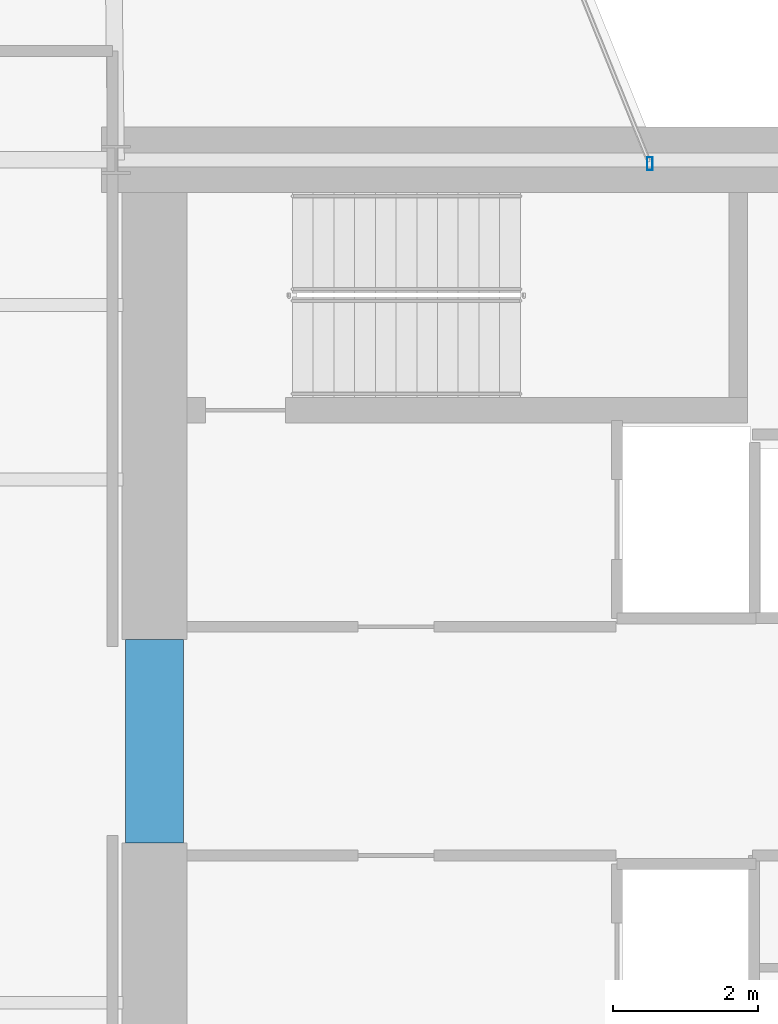
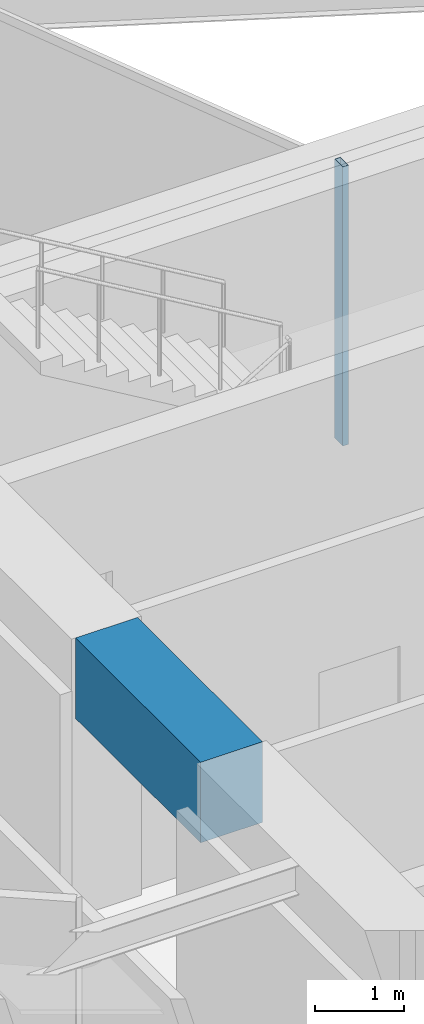
# One storey, part 17 of 31: 1 beam, 1 member, 1 element without a shape of its own.
"""IFC4 building model written with IfcOpenShell, lengths in metres."""

from ifc_helpers import new_model, si_unit, direction, frame, origin, origin_2d, place, context, subcontext, project, spatial, rectangle, hollow_rectangle, extrude, material, layer, layer_set, material_profile, profile_set, type_object, element, aggregate, save


model = new_model("IFC4")

# Units and contexts
model_context = context("Model", 3, precision=1e-05, world=origin(), true_north=direction((0.0, 1.0)))
body_context = subcontext(model_context, "Body", "Model", "MODEL_VIEW")
ifc_project = project(units=[si_unit("LENGTHUNIT", "METRE"), si_unit("AREAUNIT", "SQUARE_METRE"), si_unit("VOLUMEUNIT", "CUBIC_METRE"), si_unit("PLANEANGLEUNIT", "RADIAN"), si_unit("MASSUNIT", "GRAM", prefix="KILO")], contexts=[model_context])

# Site, building, storey
site_placement = place(None, origin())
site = spatial("IfcSite", under=ifc_project, at=site_placement, CompositionType="ELEMENT")
building_placement = place(site_placement, origin())
building = spatial("IfcBuilding", under=site, at=building_placement, Name="Veymaron Broadcast Tower", CompositionType="ELEMENT")
storey_placement = place(building_placement, frame((0.0, 0.0, 70.199951171875)))
storey = spatial("IfcBuildingStorey", under=building, at=storey_placement, Name="L15", CompositionType="ELEMENT", Elevation=70.199951171875)

# Beam
ifc_material_1 = material(Name="Concrete C70/85", Category="concrete")
ifc_material_profile_1 = material_profile(ifc_material_1, rectangle(XDim=0.800048828125, YDim=1.10009765625, at=origin_2d()), Name="RC800X1100")
ifc_profile_set_1 = profile_set([ifc_material_profile_1], Name="Concrete C70/85")
beam_type = type_object("IfcBeamType", Name="BM-CB1", PredefinedType="LINTEL", material=ifc_profile_set_1)
beam_placement = place(storey_placement, frame((39.530029296875, 22.60009765625, 3.260009765625), z_axis=(0.0, 1.0, 0.0), x_axis=(-1.0, 0.0, 0.0)))
element("IfcBeam", 1, at=beam_placement, inside=storey, type_object=beam_type, Name="L15 Core Wall west coupling beam", PredefinedType="LINTEL", context=body_context, shape_type="SweptSolid", body=[
    extrude(rectangle(XDim=0.800048828125, YDim=1.10009765625, at=origin_2d()), origin(), (0.0, 0.0, 1.0), 2.7998046875),
])

# Curtain wall, member
ifc_material_2 = material(Name="Anodised aluminium AA 6063-T6 and laminated low-E dark glass", Category="aluminium")
ifc_layer = layer(ifc_material_2, 0.179931640625)
ifc_layer_set = layer_set([ifc_layer], Name="Anodised aluminium AA 6063-T6 and laminated low-E dark glass")
curtain_wall_type = type_object("IfcCurtainWallType", Name="CW-SYS-02", PredefinedType="NOTDEFINED", material=ifc_layer_set)
curtain_wall_placement = place(storey_placement, origin())
curtain_wall = element("IfcCurtainWall", 2, at=curtain_wall_placement, inside=storey, type_object=curtain_wall_type, Name="L15 dark-glass curtain wall CW-L15-E5-1", PredefinedType="NOTDEFINED")
ifc_material_3 = material(Name="Anodised aluminium AA 6063-T6", Category="aluminium")
ifc_material_profile_2 = material_profile(ifc_material_3, hollow_rectangle(XDim=0.074951171875, YDim=0.179931640625, WallThickness=0.0048828125, at=origin_2d()), Name="AL180X75X5")
ifc_profile_set_2 = profile_set([ifc_material_profile_2], Name="Anodised aluminium AA 6063-T6")
member_type = type_object("IfcMemberType", Name="CW-MUL-02", PredefinedType="MULLION", material=ifc_profile_set_2)
member_placement = place(storey_placement, frame((46.346923828125, 31.947509765625, 0.0), z_axis=(0.0, 0.0, 1.0), x_axis=(1.0, 0.0, 0.0)))
member = element("IfcMember", 3, at=member_placement, type_object=member_type, Name="CW-L15-E5-1 mullion 0", PredefinedType="MULLION", context=body_context, shape_type="SweptSolid", body=[
    extrude(hollow_rectangle(XDim=0.074951171875, YDim=0.179931640625, WallThickness=0.0048828125, at=origin_2d()), origin(), (0.0, 0.0, 1.0), 3.81005859375),
])
aggregate(curtain_wall, [member])

save(model, "model.ifc")
